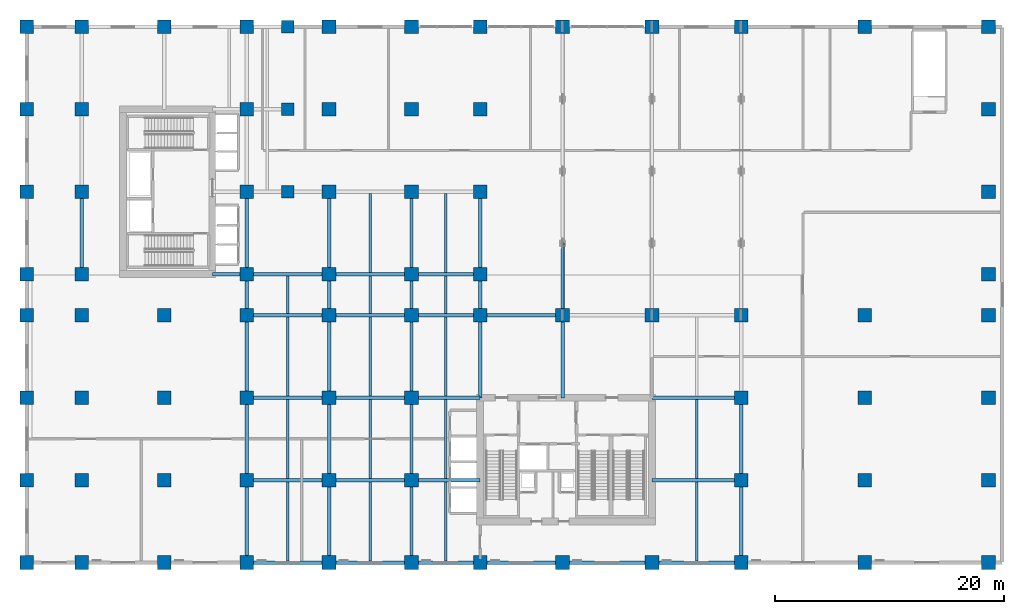
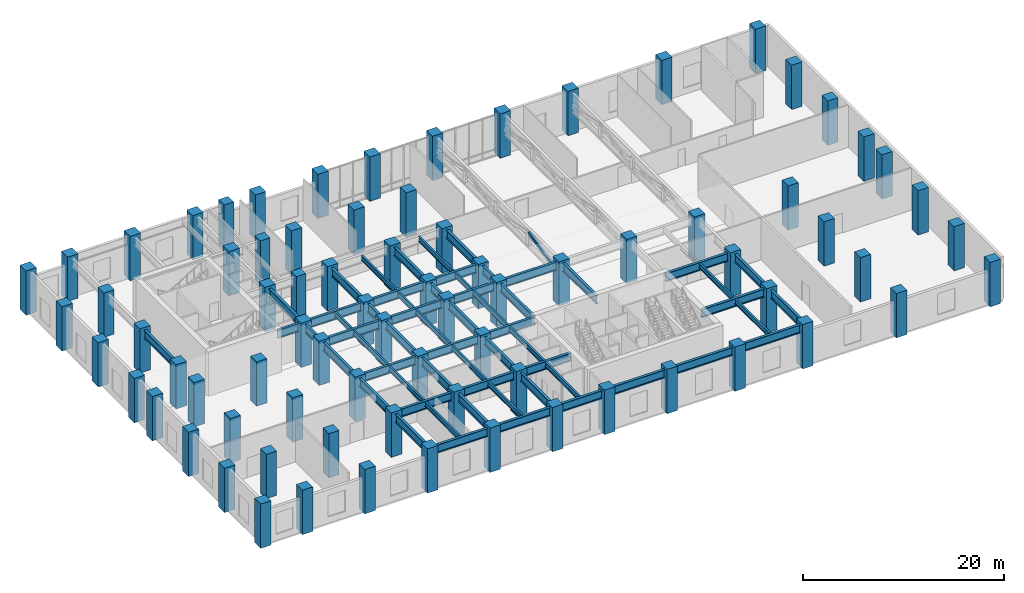
# One storey, part 1 of 19: 78 columns, 60 beams, 1 member.
"""IFC4 building model written with IfcOpenShell, lengths in metres."""

from ifc_helpers import new_model, si_unit, derived_unit, direction, frame, origin, origin_2d, place, context, subcontext, project, spatial, rectangle, hollow_rectangle, i_section, extrude, source, transform, mapped, material, material_profile, profile_set, type_object, type_shapes, element, save


model = new_model("IFC4")

# Units and contexts
model_context = context("Model", 3, precision=1e-05, world=origin(), true_north=direction((0.0, 1.0)))
body_context = subcontext(model_context, "Body", "Model", "MODEL_VIEW")
ifc_project = project(units=[si_unit("LENGTHUNIT", "METRE"), si_unit("AREAUNIT", "SQUARE_METRE"), si_unit("VOLUMEUNIT", "CUBIC_METRE"), si_unit("PLANEANGLEUNIT", "RADIAN"), si_unit("MASSUNIT", "GRAM", prefix="KILO"), si_unit("THERMODYNAMICTEMPERATUREUNIT", "KELVIN"), si_unit("POWERUNIT", "WATT"), derived_unit("THERMALTRANSMITTANCEUNIT", [(si_unit("POWERUNIT", "WATT"), 1), (si_unit("AREAUNIT", "SQUARE_METRE"), -1), (si_unit("THERMODYNAMICTEMPERATUREUNIT", "KELVIN"), -1)])], contexts=[model_context])

# Site, building, storey
site_placement = place(None, origin())
site = spatial("IfcSite", under=ifc_project, at=site_placement, CompositionType="ELEMENT")
building_placement = place(site_placement, origin())
building = spatial("IfcBuilding", under=site, at=building_placement, Name="Zahravan Archway Hotel and Residences", CompositionType="ELEMENT")
storey_placement = place(building_placement, frame((0.0, 0.0, 21.60009765625)))
storey = spatial("IfcBuildingStorey", under=building, at=storey_placement, Name="L04", CompositionType="ELEMENT", Elevation=21.60009765625)

# Columns
ifc_material_1 = material(Name="Concrete C70/85", Category="concrete")
ifc_material_profile_1 = material_profile(ifc_material_1, rectangle(XDim=1.199951171875, YDim=1.199951171875, at=origin_2d()), Name="RC-COL-1200x1200", Category="concrete")
ifc_profile_set_1 = profile_set([ifc_material_profile_1], Name="Concrete C70/85")
column_type_1 = type_object("IfcColumnType", Name="COL-RC-1200", PredefinedType="COLUMN", material=ifc_profile_set_1)
shared_shape_1 = source(origin(), body_context, "Body", "SweptSolid", [
    extrude(rectangle(XDim=1.199951171875, YDim=1.199951171875, at=origin_2d()), origin(), (0.0, 0.0, 1.0), 5.39990234375),
])
for number, where, z_axis, x_axis, name in (
    (1, (-4.800048828125, 0.0, 0.0), (0.0, 0.0, 1.0), (1.0, 0.0, 0.0), "L04 Column 0-A"),
    (2, (-4.800048828125, 7.199951171875, 0.0), (0.0, 0.0, 1.0), (1.0, 0.0, 0.0), "L04 Column 0-B"),
    (3, (-4.800048828125, 14.39990234375, 0.0), (0.0, 0.0, 1.0), (1.0, 0.0, 0.0), "L04 Column 0-C"),
    (4, (-4.800048828125, 21.60009765625, 0.0), (0.0, 0.0, 1.0), (1.0, 0.0, 0.0), "L04 Column 0-D"),
    (5, (-4.800048828125, 25.199951171875, 0.0), (0.0, 0.0, 1.0), (1.0, 0.0, 0.0), "L04 Column 0-E"),
    (6, (-4.800048828125, 32.39990234375, 0.0), (0.0, 0.0, 1.0), (1.0, 0.0, 0.0), "L04 Column 0-F"),
    (7, (-4.800048828125, 39.60009765625, 0.0), (0.0, 0.0, 1.0), (1.0, 0.0, 0.0), "L04 Column 0-G"),
    (8, (-4.800048828125, 46.800048828125, 0.0), (0.0, 0.0, 1.0), (1.0, 0.0, 0.0), "L04 Column 0-H"),
    (9, (0.0, 0.0, 0.0), (0.0, 0.0, 1.0), (1.0, 0.0, 0.0), "L04 Column 1-A"),
    (10, (0.0, 7.199951171875, 0.0), (0.0, 0.0, 1.0), (1.0, 0.0, 0.0), "L04 Column 1-B"),
    (11, (0.0, 14.39990234375, 0.0), (0.0, 0.0, 1.0), (1.0, 0.0, 0.0), "L04 Column 1-C"),
    (12, (0.0, 21.60009765625, 0.0), (0.0, 0.0, 1.0), (1.0, 0.0, 0.0), "L04 Column 1-D"),
    (13, (0.0, 25.199951171875, 0.0), (0.0, 0.0, 1.0), (1.0, 0.0, 0.0), "L04 Column 1-E"),
    (14, (0.0, 32.39990234375, 0.0), (0.0, 0.0, 1.0), (1.0, 0.0, 0.0), "L04 Column 1-F"),
    (15, (0.0, 39.60009765625, 0.0), (0.0, 0.0, 1.0), (1.0, 0.0, 0.0), "L04 Column 1-G"),
    (16, (0.0, 46.800048828125, 0.0), (0.0, 0.0, 1.0), (1.0, 0.0, 0.0), "L04 Column 1-H"),
    (17, (7.199951171875, 0.0, 0.0), (0.0, 0.0, 1.0), (1.0, 0.0, 0.0), "L04 Column 2-A"),
    (18, (7.199951171875, 7.199951171875, 0.0), (0.0, 0.0, 1.0), (1.0, 0.0, 0.0), "L04 Column 2-B"),
    (19, (7.199951171875, 14.39990234375, 0.0), (0.0, 0.0, 1.0), (1.0, 0.0, 0.0), "L04 Column 2-C"),
    (20, (7.199951171875, 21.60009765625, 0.0), (0.0, 0.0, 1.0), (1.0, 0.0, 0.0), "L04 Column 2-D"),
    (21, (7.199951171875, 46.800048828125, 0.0), (0.0, 0.0, 1.0), (1.0, 0.0, 0.0), "L04 Column 2-H"),
    (22, (14.39990234375, 0.0, 0.0), (0.0, 0.0, 1.0), (1.0, 0.0, 0.0), "L04 Column 3-A"),
    (23, (14.39990234375, 7.199951171875, 0.0), (0.0, 0.0, 1.0), (1.0, 0.0, 0.0), "L04 Column 3-B"),
    (24, (14.39990234375, 14.39990234375, 0.0), (0.0, 0.0, 1.0), (1.0, 0.0, 0.0), "L04 Column 3-C"),
    (25, (14.39990234375, 21.60009765625, 0.0), (0.0, 0.0, 1.0), (1.0, 0.0, 0.0), "L04 Column 3-D"),
    (26, (14.39990234375, 25.199951171875, 0.0), (0.0, 0.0, 1.0), (1.0, 0.0, 0.0), "L04 Column 3-E"),
    (27, (14.39990234375, 32.39990234375, 0.0), (0.0, 0.0, 1.0), (1.0, 0.0, 0.0), "L04 Column 3-F"),
    (28, (14.39990234375, 39.60009765625, 0.0), (0.0, 0.0, 1.0), (1.0, 0.0, 0.0), "L04 Column 3-G"),
    (29, (14.39990234375, 46.800048828125, 0.0), (0.0, 0.0, 1.0), (1.0, 0.0, 0.0), "L04 Column 3-H"),
    (30, (21.60009765625, 0.0, 0.0), (0.0, 0.0, 1.0), (1.0, 0.0, 0.0), "L04 Column 4-A"),
    (31, (21.60009765625, 7.199951171875, 0.0), (0.0, 0.0, 1.0), (1.0, 0.0, 0.0), "L04 Column 4-B"),
    (32, (21.60009765625, 14.39990234375, 0.0), (0.0, 0.0, 1.0), (1.0, 0.0, 0.0), "L04 Column 4-C"),
    (33, (21.60009765625, 21.60009765625, 0.0), (0.0, 0.0, 1.0), (1.0, 0.0, 0.0), "L04 Column 4-D"),
    (34, (21.60009765625, 25.199951171875, 0.0), (0.0, 0.0, 1.0), (1.0, 0.0, 0.0), "L04 Column 4-E"),
    (35, (21.60009765625, 32.39990234375, 0.0), (0.0, 0.0, 1.0), (1.0, 0.0, 0.0), "L04 Column 4-F"),
    (36, (21.60009765625, 39.60009765625, 0.0), (0.0, 0.0, 1.0), (1.0, 0.0, 0.0), "L04 Column 4-G"),
    (37, (21.60009765625, 46.800048828125, 0.0), (0.0, 0.0, 1.0), (1.0, 0.0, 0.0), "L04 Column 4-H"),
    (38, (28.800048828125, 0.0, 0.0), (0.0, 0.0, 1.0), (1.0, 0.0, 0.0), "L04 Column 5-A"),
    (39, (28.800048828125, 7.199951171875, 0.0), (0.0, 0.0, 1.0), (1.0, 0.0, 0.0), "L04 Column 5-B"),
    (40, (28.800048828125, 14.39990234375, 0.0), (0.0, 0.0, 1.0), (1.0, 0.0, 0.0), "L04 Column 5-C"),
    (41, (28.800048828125, 21.60009765625, 0.0), (0.0, 0.0, 1.0), (1.0, 0.0, 0.0), "L04 Column 5-D"),
    (42, (28.800048828125, 25.199951171875, 0.0), (0.0, 0.0, 1.0), (1.0, 0.0, 0.0), "L04 Column 5-E"),
    (43, (28.800048828125, 32.39990234375, 0.0), (0.0, 0.0, 1.0), (1.0, 0.0, 0.0), "L04 Column 5-F"),
    (44, (28.800048828125, 39.60009765625, 0.0), (0.0, 0.0, 1.0), (1.0, 0.0, 0.0), "L04 Column 5-G"),
    (45, (28.800048828125, 46.800048828125, 0.0), (0.0, 0.0, 1.0), (1.0, 0.0, 0.0), "L04 Column 5-H"),
    (46, (34.800048828125, 0.0, 0.0), (0.0, 0.0, 1.0), (1.0, 0.0, 0.0), "L04 Column 6-A"),
    (47, (34.800048828125, 21.60009765625, 0.0), (0.0, 0.0, 1.0), (1.0, 0.0, 0.0), "L04 Column 6-D"),
    (48, (34.800048828125, 25.199951171875, 0.0), (0.0, 0.0, 1.0), (1.0, 0.0, 0.0), "L04 Column 6-E"),
    (49, (34.800048828125, 32.39990234375, 0.0), (0.0, 0.0, 1.0), (1.0, 0.0, 0.0), "L04 Column 6-F"),
    (50, (34.800048828125, 39.60009765625, 0.0), (0.0, 0.0, 1.0), (1.0, 0.0, 0.0), "L04 Column 6-G"),
    (51, (34.800048828125, 46.800048828125, 0.0), (0.0, 0.0, 1.0), (1.0, 0.0, 0.0), "L04 Column 6-H"),
    (52, (42.0, 0.0, 0.0), (0.0, 0.0, 1.0), (1.0, 0.0, 0.0), "L04 Column 7-A"),
    (53, (42.0, 21.60009765625, 0.0), (0.0, 0.0, 1.0), (1.0, 0.0, 0.0), "L04 Column 7-D"),
    (54, (42.0, 46.800048828125, 0.0), (0.0, 0.0, 1.0), (1.0, 0.0, 0.0), "L04 Column 7-H"),
    (55, (49.800048828125, 0.0, 0.0), (0.0, 0.0, 1.0), (1.0, 0.0, 0.0), "L04 Column 8-A"),
    (56, (49.800048828125, 21.60009765625, 0.0), (0.0, 0.0, 1.0), (1.0, 0.0, 0.0), "L04 Column 8-D"),
    (57, (49.800048828125, 46.800048828125, 0.0), (0.0, 0.0, 1.0), (1.0, 0.0, 0.0), "L04 Column 8-H"),
    (58, (57.60009765625, 0.0, 0.0), (0.0, 0.0, 1.0), (1.0, 0.0, 0.0), "L04 Column 9-A"),
    (59, (57.60009765625, 7.199951171875, 0.0), (0.0, 0.0, 1.0), (1.0, 0.0, 0.0), "L04 Column 9-B"),
    (60, (57.60009765625, 14.39990234375, 0.0), (0.0, 0.0, 1.0), (1.0, 0.0, 0.0), "L04 Column 9-C"),
    (61, (57.60009765625, 21.60009765625, 0.0), (0.0, 0.0, 1.0), (1.0, 0.0, 0.0), "L04 Column 9-D"),
    (62, (57.60009765625, 46.800048828125, 0.0), (0.0, 0.0, 1.0), (1.0, 0.0, 0.0), "L04 Column 9-H"),
    (63, (68.39990234375, 0.0, 0.0), (0.0, 0.0, 1.0), (1.0, 0.0, 0.0), "L04 Column 10-A"),
    (64, (68.39990234375, 7.199951171875, 0.0), (0.0, 0.0, 1.0), (1.0, 0.0, 0.0), "L04 Column 10-B"),
    (65, (68.39990234375, 14.39990234375, 0.0), (0.0, 0.0, 1.0), (1.0, 0.0, 0.0), "L04 Column 10-C"),
    (66, (68.39990234375, 21.60009765625, 0.0), (0.0, 0.0, 1.0), (1.0, 0.0, 0.0), "L04 Column 10-D"),
    (67, (68.39990234375, 46.800048828125, 0.0), (0.0, 0.0, 1.0), (1.0, 0.0, 0.0), "L04 Column 10-H"),
    (68, (79.199951171875, 0.0, 0.0), (0.0, 0.0, 1.0), (1.0, 0.0, 0.0), "L04 Column 11-A"),
    (69, (79.199951171875, 7.199951171875, 0.0), (0.0, 0.0, 1.0), (1.0, 0.0, 0.0), "L04 Column 11-B"),
    (70, (79.199951171875, 14.39990234375, 0.0), (0.0, 0.0, 1.0), (1.0, 0.0, 0.0), "L04 Column 11-C"),
    (71, (79.199951171875, 21.60009765625, 0.0), (0.0, 0.0, 1.0), (1.0, 0.0, 0.0), "L04 Column 11-D"),
    (72, (79.199951171875, 25.199951171875, 0.0), (0.0, 0.0, 1.0), (1.0, 0.0, 0.0), "L04 Column 11-E"),
    (73, (79.199951171875, 32.39990234375, 0.0), (0.0, 0.0, 1.0), (1.0, 0.0, 0.0), "L04 Column 11-F"),
    (74, (79.199951171875, 39.60009765625, 0.0), (0.0, 0.0, 1.0), (1.0, 0.0, 0.0), "L04 Column 11-G"),
    (75, (79.199951171875, 46.800048828125, 0.0), (0.0, 0.0, 1.0), (1.0, 0.0, 0.0), "L04 Column 11-H"),
):
    element("IfcColumn", number, at=place(storey_placement, frame(where, z_axis=z_axis, x_axis=x_axis)), inside=storey, type_object=column_type_1, Name=name, PredefinedType="COLUMN", context=body_context, shape_type="MappedRepresentation", body=[
        mapped(shared_shape_1, transform((0.0, 0.0, 0.0), scale=1.0)),
    ])
ifc_material_profile_2 = material_profile(ifc_material_1, rectangle(XDim=1.10009765625, YDim=1.10009765625, at=origin_2d()), Name="RC 1100x1100", Category="concrete")
ifc_profile_set_2 = profile_set([ifc_material_profile_2], Name="Concrete C70/85")
column_type_2 = type_object("IfcColumnType", Name="COL-RC-1100", PredefinedType="COLUMN", material=ifc_profile_set_2)
shared_shape_2 = source(origin(), body_context, "Body", "SweptSolid", [
    extrude(rectangle(XDim=1.10009765625, YDim=1.10009765625, at=origin_2d()), origin(), (0.0, 0.0, 1.0), 5.39990234375),
])
for number, where, z_axis, x_axis, name in (
    (76, (18.0, 32.39990234375, 0.0), (0.0, 0.0, 1.0), (1.0, 0.0, 0.0), "L04 Column 3B-F"),
    (77, (18.0, 39.60009765625, 0.0), (0.0, 0.0, 1.0), (1.0, 0.0, 0.0), "L04 Column 3B-G"),
    (78, (18.0, 46.800048828125, 0.0), (0.0, 0.0, 1.0), (1.0, 0.0, 0.0), "L04 Column 3B-H"),
):
    element("IfcColumn", number, at=place(storey_placement, frame(where, z_axis=z_axis, x_axis=x_axis)), inside=storey, type_object=column_type_2, Name=name, PredefinedType="COLUMN", context=body_context, shape_type="MappedRepresentation", body=[
        mapped(shared_shape_2, transform((0.0, 0.0, 0.0), scale=1.0)),
    ])

# Beams
ifc_material_2 = material(Name="Structural Steel S355J2", Category="steel")
ifc_material_profile_3 = material_profile(ifc_material_2, i_section(OverallWidth=0.300048828125, OverallDepth=1.0, WebThickness=0.01904296875, FlangeThickness=0.035888671875, FilletRadius=0.030029296875, at=origin_2d()), Name="HEB 1000", Category="steel")
ifc_profile_set_3 = profile_set([ifc_material_profile_3], Name="Structural Steel S355J2")
beam_type_1 = type_object("IfcBeamType", Name="BM-PRI-HEB1000", PredefinedType="BEAM", material=ifc_profile_set_3)
shared_shape_3 = source(origin(), body_context, "Body", "SweptSolid", [
    extrude(i_section(OverallWidth=0.300048828125, OverallDepth=1.0, WebThickness=0.01904296875, FlangeThickness=0.035888671875, FilletRadius=0.030029296875, at=origin_2d()), origin(), (0.0, 0.0, 1.0), 7.199951171875),
])
for number, where, z_axis, x_axis, name in (
    (79, (21.60009765625, 0.0, 4.599853515625), (1.0, 0.0, 0.0), (0.0, 1.0, 0.0), "L04 Primary Girder EW-02"),
    (80, (34.800048828125, 0.0, 4.599853515625), (1.0, 0.0, 0.0), (0.0, 1.0, 0.0), "L04 Primary Girder EW-04"),
    (81, (21.60009765625, 7.199951171875, 4.599853515625), (1.0, 0.0, 0.0), (0.0, 1.0, 0.0), "L04 Primary Girder EW-08"),
    (82, (21.60009765625, 14.39990234375, 4.599853515625), (1.0, 0.0, 0.0), (0.0, 1.0, 0.0), "L04 Primary Girder EW-12"),
    (83, (21.60009765625, 21.60009765625, 4.599853515625), (1.0, 0.0, 0.0), (0.0, 1.0, 0.0), "L04 Primary Girder EW-16"),
    (84, (34.800048828125, 21.60009765625, 4.599853515625), (1.0, 0.0, 0.0), (0.0, 1.0, 0.0), "L04 Primary Girder EW-18"),
    (85, (21.60009765625, 25.199951171875, 4.599853515625), (1.0, 0.0, 0.0), (0.0, 1.0, 0.0), "L04 Primary Girder EW-23"),
    (86, (0.0, 25.199951171875, 4.599853515625), (0.0, 1.0, 0.0), (-1.0, 0.0, 0.0), "L04 Primary Girder NS-35"),
    (87, (14.39990234375, 0.0, 4.599853515625), (0.0, 1.0, 0.0), (-1.0, 0.0, 0.0), "L04 Primary Girder NS-39"),
    (88, (14.39990234375, 7.199951171875, 4.599853515625), (0.0, 1.0, 0.0), (-1.0, 0.0, 0.0), "L04 Primary Girder NS-40"),
    (89, (14.39990234375, 25.199951171875, 4.599853515625), (0.0, 1.0, 0.0), (-1.0, 0.0, 0.0), "L04 Primary Girder NS-43"),
    (90, (21.60009765625, 0.0, 4.599853515625), (0.0, 1.0, 0.0), (-1.0, 0.0, 0.0), "L04 Primary Girder NS-46"),
    (91, (21.60009765625, 7.199951171875, 4.599853515625), (0.0, 1.0, 0.0), (-1.0, 0.0, 0.0), "L04 Primary Girder NS-47"),
    (92, (21.60009765625, 25.199951171875, 4.599853515625), (0.0, 1.0, 0.0), (-1.0, 0.0, 0.0), "L04 Primary Girder NS-50"),
    (93, (28.800048828125, 0.0, 4.599853515625), (0.0, 1.0, 0.0), (-1.0, 0.0, 0.0), "L04 Primary Girder NS-51"),
    (94, (28.800048828125, 7.199951171875, 4.599853515625), (0.0, 1.0, 0.0), (-1.0, 0.0, 0.0), "L04 Primary Girder NS-52"),
    (95, (28.800048828125, 25.199951171875, 4.599853515625), (0.0, 1.0, 0.0), (-1.0, 0.0, 0.0), "L04 Primary Girder NS-55"),
    (96, (34.800048828125, 25.199951171875, 4.599853515625), (0.0, 1.0, 0.0), (-1.0, 0.0, 0.0), "L04 Primary Girder NS-58"),
    (97, (57.60009765625, 0.0, 4.599853515625), (0.0, 1.0, 0.0), (-1.0, 0.0, 0.0), "L04 Primary Girder NS-61"),
    (98, (57.60009765625, 7.199951171875, 4.599853515625), (0.0, 1.0, 0.0), (-1.0, 0.0, 0.0), "L04 Primary Girder NS-62"),
):
    element("IfcBeam", number, at=place(storey_placement, frame(where, z_axis=z_axis, x_axis=x_axis)), inside=storey, type_object=beam_type_1, Name=name, PredefinedType="BEAM", context=body_context, shape_type="MappedRepresentation", body=[
        mapped(shared_shape_3, transform((0.0, 0.0, 0.0), scale=1.0)),
    ])
shared_shape_4 = source(origin(), body_context, "Body", "SweptSolid", [
    extrude(i_section(OverallWidth=0.300048828125, OverallDepth=1.0, WebThickness=0.01904296875, FlangeThickness=0.035888671875, FilletRadius=0.030029296875, at=origin_2d()), origin(), (0.0, 0.0, 1.0), 7.2001953125),
])
for number, where, z_axis, x_axis, name in (
    (99, (14.39990234375, 0.0, 4.599853515625), (1.0, 0.0, 0.0), (0.0, 1.0, 0.0), "L04 Primary Girder EW-01"),
    (100, (14.39990234375, 7.199951171875, 4.599853515625), (1.0, 0.0, 0.0), (0.0, 1.0, 0.0), "L04 Primary Girder EW-07"),
    (101, (14.39990234375, 14.39990234375, 4.599853515625), (1.0, 0.0, 0.0), (0.0, 1.0, 0.0), "L04 Primary Girder EW-11"),
    (102, (14.39990234375, 21.60009765625, 4.599853515625), (1.0, 0.0, 0.0), (0.0, 1.0, 0.0), "L04 Primary Girder EW-15"),
    (103, (14.39990234375, 25.199951171875, 4.599853515625), (1.0, 0.0, 0.0), (0.0, 1.0, 0.0), "L04 Primary Girder EW-22"),
    (104, (14.39990234375, 14.39990234375, 4.599853515625), (0.0, 1.0, 0.0), (-1.0, 0.0, 0.0), "L04 Primary Girder NS-41"),
    (105, (21.60009765625, 14.39990234375, 4.599853515625), (0.0, 1.0, 0.0), (-1.0, 0.0, 0.0), "L04 Primary Girder NS-48"),
    (106, (28.800048828125, 14.39990234375, 4.599853515625), (0.0, 1.0, 0.0), (-1.0, 0.0, 0.0), "L04 Primary Girder NS-53"),
    (107, (34.800048828125, 14.39990234375, 4.599853515625), (0.0, 1.0, 0.0), (-1.0, 0.0, 0.0), "L04 Primary Girder NS-56"),
    (108, (42.0, 14.39990234375, 4.599853515625), (0.0, 1.0, 0.0), (-1.0, 0.0, 0.0), "L04 Primary Girder NS-59"),
):
    element("IfcBeam", number, at=place(storey_placement, frame(where, z_axis=z_axis, x_axis=x_axis)), inside=storey, type_object=beam_type_1, Name=name, PredefinedType="BEAM", context=body_context, shape_type="MappedRepresentation", body=[
        mapped(shared_shape_4, transform((0.0, 0.0, 0.0), scale=1.0)),
    ])
shared_shape_5 = source(origin(), body_context, "Body", "SweptSolid", [
    extrude(i_section(OverallWidth=0.300048828125, OverallDepth=1.0, WebThickness=0.01904296875, FlangeThickness=0.035888671875, FilletRadius=0.030029296875, at=origin_2d()), origin(), (0.0, 0.0, 1.0), 6.0),
])
for number, where, z_axis, x_axis, name in (
    (109, (28.800048828125, 0.0, 4.599853515625), (1.0, 0.0, 0.0), (0.0, 1.0, 0.0), "L04 Primary Girder EW-03"),
    (110, (28.800048828125, 7.199951171875, 4.599853515625), (1.0, 0.0, 0.0), (0.0, 1.0, 0.0), "L04 Primary Girder EW-09"),
    (111, (28.800048828125, 14.39990234375, 4.599853515625), (1.0, 0.0, 0.0), (0.0, 1.0, 0.0), "L04 Primary Girder EW-13"),
    (112, (28.800048828125, 21.60009765625, 4.599853515625), (1.0, 0.0, 0.0), (0.0, 1.0, 0.0), "L04 Primary Girder EW-17"),
    (113, (28.800048828125, 25.199951171875, 4.599853515625), (1.0, 0.0, 0.0), (0.0, 1.0, 0.0), "L04 Primary Girder EW-24"),
):
    element("IfcBeam", number, at=place(storey_placement, frame(where, z_axis=z_axis, x_axis=x_axis)), inside=storey, type_object=beam_type_1, Name=name, PredefinedType="BEAM", context=body_context, shape_type="MappedRepresentation", body=[
        mapped(shared_shape_5, transform((0.0, 0.0, 0.0), scale=1.0)),
    ])
shared_shape_6 = source(origin(), body_context, "Body", "SweptSolid", [
    extrude(i_section(OverallWidth=0.300048828125, OverallDepth=1.0, WebThickness=0.01904296875, FlangeThickness=0.035888671875, FilletRadius=0.030029296875, at=origin_2d()), origin(), (0.0, 0.0, 1.0), 7.800048828125),
])
for number, where, z_axis, x_axis, name in (
    (114, (42.0, 0.0, 4.599853515625), (1.0, 0.0, 0.0), (0.0, 1.0, 0.0), "L04 Primary Girder EW-05"),
    (115, (49.800048828125, 0.0, 4.599853515625), (1.0, 0.0, 0.0), (0.0, 1.0, 0.0), "L04 Primary Girder EW-06"),
    (116, (49.800048828125, 7.199951171875, 4.599853515625), (1.0, 0.0, 0.0), (0.0, 1.0, 0.0), "L04 Primary Girder EW-10"),
    (117, (49.800048828125, 14.39990234375, 4.599853515625), (1.0, 0.0, 0.0), (0.0, 1.0, 0.0), "L04 Primary Girder EW-14"),
):
    element("IfcBeam", number, at=place(storey_placement, frame(where, z_axis=z_axis, x_axis=x_axis)), inside=storey, type_object=beam_type_1, Name=name, PredefinedType="BEAM", context=body_context, shape_type="MappedRepresentation", body=[
        mapped(shared_shape_6, transform((0.0, 0.0, 0.0), scale=1.0)),
    ])
shared_shape_7 = source(origin(), body_context, "Body", "SweptSolid", [
    extrude(i_section(OverallWidth=0.300048828125, OverallDepth=1.0, WebThickness=0.01904296875, FlangeThickness=0.035888671875, FilletRadius=0.030029296875, at=origin_2d()), origin(), (0.0, 0.0, 1.0), 3.0),
])
beam_placement = place(storey_placement, frame((11.39990234375, 25.199951171875, 4.599853515625), z_axis=(1.0, 0.0, 0.0), x_axis=(0.0, 1.0, 0.0)))
element("IfcBeam", 118, at=beam_placement, inside=storey, type_object=beam_type_1, Name="L04 Primary Girder EW-21", PredefinedType="BEAM", context=body_context, shape_type="MappedRepresentation", body=[
    mapped(shared_shape_7, transform((0.0, 0.0, 0.0), scale=1.0)),
])
shared_shape_8 = source(origin(), body_context, "Body", "SweptSolid", [
    extrude(i_section(OverallWidth=0.300048828125, OverallDepth=1.0, WebThickness=0.01904296875, FlangeThickness=0.035888671875, FilletRadius=0.030029296875, at=origin_2d()), origin(), (0.0, 0.0, 1.0), 3.599853515625),
])
for number, where, z_axis, x_axis, name in (
    (119, (14.39990234375, 21.60009765625, 4.599853515625), (0.0, 1.0, 0.0), (-1.0, 0.0, 0.0), "L04 Primary Girder NS-42"),
    (120, (21.60009765625, 21.60009765625, 4.599853515625), (0.0, 1.0, 0.0), (-1.0, 0.0, 0.0), "L04 Primary Girder NS-49"),
    (121, (28.800048828125, 21.60009765625, 4.599853515625), (0.0, 1.0, 0.0), (-1.0, 0.0, 0.0), "L04 Primary Girder NS-54"),
    (122, (34.800048828125, 21.60009765625, 4.599853515625), (0.0, 1.0, 0.0), (-1.0, 0.0, 0.0), "L04 Primary Girder NS-57"),
):
    element("IfcBeam", number, at=place(storey_placement, frame(where, z_axis=z_axis, x_axis=x_axis)), inside=storey, type_object=beam_type_1, Name=name, PredefinedType="BEAM", context=body_context, shape_type="MappedRepresentation", body=[
        mapped(shared_shape_8, transform((0.0, 0.0, 0.0), scale=1.0)),
    ])
ifc_material_3 = material(Name="Structural Steel S355JR", Category="steel")
ifc_material_profile_4 = material_profile(ifc_material_3, i_section(OverallWidth=0.219970703125, OverallDepth=0.60009765625, WebThickness=0.011962890625, FlangeThickness=0.01904296875, FilletRadius=0.02392578125, at=origin_2d()), Name="IPE 600", Category="steel")
ifc_profile_set_4 = profile_set([ifc_material_profile_4], Name="Structural Steel S355JR")
beam_type_2 = type_object("IfcBeamType", Name="BM-JST-IPE600", PredefinedType="JOIST", material=ifc_profile_set_4)
shared_shape_9 = source(origin(), body_context, "Body", "SweptSolid", [
    extrude(i_section(OverallWidth=0.219970703125, OverallDepth=0.60009765625, WebThickness=0.011962890625, FlangeThickness=0.01904296875, FilletRadius=0.02392578125, at=origin_2d()), origin(), (0.0, 0.0, 1.0), 6.904052734375),
])
type_shapes(beam_type_2, [shared_shape_9])
for number, where, z_axis, x_axis, name in (
    (123, (18.0, 0.14794921875, 4.7998046875), (0.0, 1.0, 0.0), (-1.0, 0.0, 0.0), "L04 Composite Floor Joist 01"),
    (124, (25.199951171875, 0.14794921875, 4.7998046875), (0.0, 1.0, 0.0), (-1.0, 0.0, 0.0), "L04 Composite Floor Joist 02"),
    (125, (31.800048828125, 0.14794921875, 4.7998046875), (0.0, 1.0, 0.0), (-1.0, 0.0, 0.0), "L04 Composite Floor Joist 03"),
    (126, (53.699951171875, 0.14794921875, 4.7998046875), (0.0, 1.0, 0.0), (-1.0, 0.0, 0.0), "L04 Composite Floor Joist 04"),
    (127, (18.0, 7.347900390625, 4.7998046875), (0.0, 1.0, 0.0), (-1.0, 0.0, 0.0), "L04 Composite Floor Joist 05"),
    (128, (25.199951171875, 7.347900390625, 4.7998046875), (0.0, 1.0, 0.0), (-1.0, 0.0, 0.0), "L04 Composite Floor Joist 06"),
    (129, (31.800048828125, 7.347900390625, 4.7998046875), (0.0, 1.0, 0.0), (-1.0, 0.0, 0.0), "L04 Composite Floor Joist 07"),
    (130, (53.699951171875, 7.347900390625, 4.7998046875), (0.0, 1.0, 0.0), (-1.0, 0.0, 0.0), "L04 Composite Floor Joist 08"),
    (131, (25.199951171875, 25.347900390625, 4.7998046875), (0.0, 1.0, 0.0), (-1.0, 0.0, 0.0), "L04 Composite Floor Joist 16"),
    (132, (31.800048828125, 25.347900390625, 4.7998046875), (0.0, 1.0, 0.0), (-1.0, 0.0, 0.0), "L04 Composite Floor Joist 17"),
):
    element("IfcBeam", number, at=place(storey_placement, frame(where, z_axis=z_axis, x_axis=x_axis)), inside=storey, type_object=beam_type_2, Name=name, PredefinedType="JOIST", context=body_context, shape_type="MappedRepresentation", body=[
        mapped(shared_shape_9, transform((0.0, 0.0, 0.0), scale=1.0)),
    ])
shared_shape_10 = source(origin(), body_context, "Body", "SweptSolid", [
    extrude(i_section(OverallWidth=0.219970703125, OverallDepth=0.60009765625, WebThickness=0.011962890625, FlangeThickness=0.01904296875, FilletRadius=0.02392578125, at=origin_2d()), origin(), (0.0, 0.0, 1.0), 6.90380859375),
])
for number, where, z_axis, x_axis, name in (
    (133, (18.0, 14.548095703125, 4.7998046875), (0.0, 1.0, 0.0), (-1.0, 0.0, 0.0), "L04 Composite Floor Joist 09"),
    (134, (25.199951171875, 14.548095703125, 4.7998046875), (0.0, 1.0, 0.0), (-1.0, 0.0, 0.0), "L04 Composite Floor Joist 10"),
    (135, (31.800048828125, 14.548095703125, 4.7998046875), (0.0, 1.0, 0.0), (-1.0, 0.0, 0.0), "L04 Composite Floor Joist 11"),
):
    element("IfcBeam", number, at=place(storey_placement, frame(where, z_axis=z_axis, x_axis=x_axis)), inside=storey, type_object=beam_type_2, Name=name, PredefinedType="JOIST", context=body_context, shape_type="MappedRepresentation", body=[
        mapped(shared_shape_10, transform((0.0, 0.0, 0.0), scale=1.0)),
    ])
shared_shape_11 = source(origin(), body_context, "Body", "SweptSolid", [
    extrude(i_section(OverallWidth=0.219970703125, OverallDepth=0.60009765625, WebThickness=0.011962890625, FlangeThickness=0.01904296875, FilletRadius=0.02392578125, at=origin_2d()), origin(), (0.0, 0.0, 1.0), 3.303955078125),
])
for number, where, z_axis, x_axis, name in (
    (136, (18.0, 21.748046875, 4.7998046875), (0.0, 1.0, 0.0), (-1.0, 0.0, 0.0), "L04 Composite Floor Joist 13"),
    (137, (25.199951171875, 21.748046875, 4.7998046875), (0.0, 1.0, 0.0), (-1.0, 0.0, 0.0), "L04 Composite Floor Joist 14"),
    (138, (31.800048828125, 21.748046875, 4.7998046875), (0.0, 1.0, 0.0), (-1.0, 0.0, 0.0), "L04 Composite Floor Joist 15"),
):
    element("IfcBeam", number, at=place(storey_placement, frame(where, z_axis=z_axis, x_axis=x_axis)), inside=storey, type_object=beam_type_2, Name=name, PredefinedType="JOIST", context=body_context, shape_type="MappedRepresentation", body=[
        mapped(shared_shape_11, transform((0.0, 0.0, 0.0), scale=1.0)),
    ])

# Member
ifc_material_4 = material(Name="Structural Steel S460M", Category="steel")
ifc_material_profile_5 = material_profile(ifc_material_4, hollow_rectangle(XDim=0.300048828125, YDim=0.39990234375, WallThickness=0.02001953125, InnerFilletRadius=0.02001953125, OuterFilletRadius=0.0400390625, at=origin_2d()), Name="RHS 400x300x20", Category="steel")
ifc_profile_set_5 = profile_set([ifc_material_profile_5], Name="Structural Steel S460M")
member_type = type_object("IfcMemberType", Name="MEM-DIAG-RHS430", PredefinedType="BRACE", material=ifc_profile_set_5)
shared_shape_12 = source(origin(), body_context, "Body", "SweptSolid", [
    extrude(hollow_rectangle(XDim=0.300048828125, YDim=0.39990234375, WallThickness=0.02001953125, InnerFilletRadius=0.02001953125, OuterFilletRadius=0.0400390625, at=origin_2d()), origin(), (0.0, 0.0, 1.0), 6.44287109375),
])
type_shapes(member_type, [shared_shape_12])
member_placement = place(storey_placement, frame((42.0, 21.60009765625, 3.199951171875), z_axis=(0.0, 0.977805741195, 0.209513561582), x_axis=(-1.0, 0.0, 0.0)))
element("IfcMember", 139, at=member_placement, inside=storey, type_object=member_type, Name="L04 Long-Span Truss 1 Diagonal 1", PredefinedType="BRACE", context=body_context, shape_type="MappedRepresentation", body=[
    mapped(shared_shape_12, transform((0.0, 0.0, 0.0), scale=1.0)),
])

save(model, "model.ifc")
